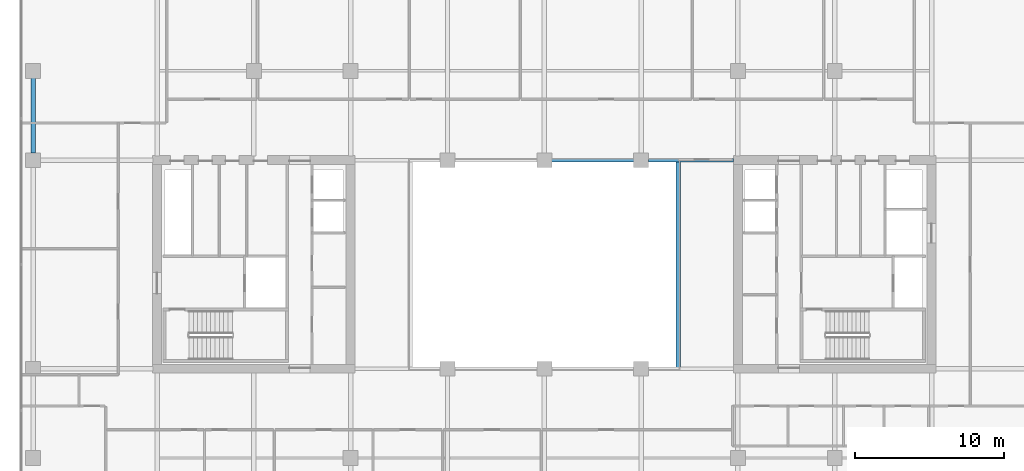
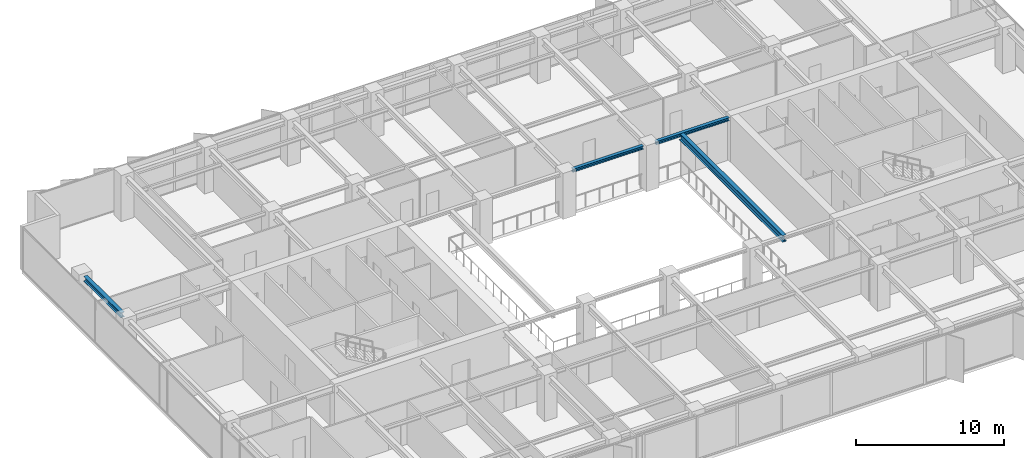
# One storey, part 7 of 22: 4 beams.
"""IFC4 building model written with IfcOpenShell, lengths in metres."""

from ifc_helpers import new_model, si_unit, direction, frame, origin, origin_2d, place, context, subcontext, project, spatial, i_section, extrude, material, material_profile, profile_set, type_object, element, save


model = new_model("IFC4")

# Units and contexts
model_context = context("Model", 3, precision=1e-05, world=origin(), true_north=direction((0.0, 1.0)))
body_context = subcontext(model_context, "Body", "Model", "MODEL_VIEW")
ifc_project = project(units=[si_unit("LENGTHUNIT", "METRE"), si_unit("AREAUNIT", "SQUARE_METRE"), si_unit("VOLUMEUNIT", "CUBIC_METRE"), si_unit("PLANEANGLEUNIT", "RADIAN"), si_unit("MASSUNIT", "GRAM", prefix="KILO")], contexts=[model_context])

# Site, building, storey
site_placement = place(None, origin())
site = spatial("IfcSite", under=ifc_project, at=site_placement, CompositionType="ELEMENT")
building_placement = place(site_placement, origin())
building = spatial("IfcBuilding", under=site, at=building_placement, Name="Putna Gate Headquarters", CompositionType="ELEMENT")
storey_placement = place(building_placement, frame((0.0, 0.0, 182.199951171875)))
storey = spatial("IfcBuildingStorey", under=building, at=storey_placement, Name="L45", CompositionType="ELEMENT", Elevation=182.199951171875)

# Beams
ifc_material = material(Name="Steel S355J2", Category="steel")
ifc_material_profile_1 = material_profile(ifc_material, i_section(OverallWidth=0.260009765625, OverallDepth=0.260009765625, WebThickness=0.010009765625, FlangeThickness=0.017578125, at=origin_2d()), Name="Steel S355J2")
ifc_profile_set_1 = profile_set([ifc_material_profile_1], Name="Steel S355J2")
beam_type_1 = type_object("IfcBeamType", Name="BM-ATRIUM-HEB260", PredefinedType="BEAM", material=ifc_profile_set_1)
beam_1_placement = place(storey_placement, frame((39.488037109375, 33.0, 3.442138671875), z_axis=(1.0, 0.0, 0.0), x_axis=(0.0, 1.0, 0.0)))
element("IfcBeam", 1, at=beam_1_placement, inside=storey, type_object=beam_type_1, Name="L45 Atrium Edge Beam AN3", PredefinedType="BEAM", context=body_context, shape_type="SweptSolid", body=[
    extrude(i_section(OverallWidth=0.260009765625, OverallDepth=0.260009765625, WebThickness=0.010009765625, FlangeThickness=0.017578125, at=origin_2d()), origin(), (0.0, 0.0, 1.0), 5.52392578125),
])
beam_2_placement = place(storey_placement, frame((45.988037109375, 33.0, 3.442138671875), z_axis=(1.0, 0.0, 0.0), x_axis=(0.0, 1.0, 0.0)))
element("IfcBeam", 2, at=beam_2_placement, inside=storey, type_object=beam_type_1, Name="L45 Atrium Edge Beam AN4", PredefinedType="BEAM", context=body_context, shape_type="SweptSolid", body=[
    extrude(i_section(OverallWidth=0.260009765625, OverallDepth=0.260009765625, WebThickness=0.010009765625, FlangeThickness=0.017578125, at=origin_2d()), origin(), (0.0, 0.0, 1.0), 5.72705078125),
])
ifc_material_profile_2 = material_profile(ifc_material, i_section(OverallWidth=0.300048828125, OverallDepth=0.550048828125, WebThickness=0.014892578125, FlangeThickness=0.029052734375, at=origin_2d()), Name="Steel S355J2")
ifc_profile_set_2 = profile_set([ifc_material_profile_2], Name="Steel S355J2")
beam_type_2 = type_object("IfcBeamType", Name="BM-GIRD-Z3-HEB550", PredefinedType="USERDEFINED", material=ifc_profile_set_2)
beam_3_placement = place(storey_placement, frame((48.0, 19.010009765625, 3.297119140625), z_axis=(0.0, 1.0, 0.0), x_axis=(-1.0, 0.0, 0.0)))
element("IfcBeam", 3, at=beam_3_placement, inside=storey, type_object=beam_type_2, Name="L45 Atrium Trim Girder AE", ObjectType="GIRDER", PredefinedType="USERDEFINED", context=body_context, shape_type="SweptSolid", body=[
    extrude(i_section(OverallWidth=0.300048828125, OverallDepth=0.550048828125, WebThickness=0.014892578125, FlangeThickness=0.029052734375, at=origin_2d()), origin(), (0.0, 0.0, 1.0), 13.97998046875),
])
ifc_material_profile_3 = material_profile(ifc_material, i_section(OverallWidth=0.300048828125, OverallDepth=0.39990234375, WebThickness=0.013427734375, FlangeThickness=0.02392578125, at=origin_2d()), Name="Steel S355J2")
ifc_profile_set_3 = profile_set([ifc_material_profile_3], Name="Steel S355J2")
beam_type_3 = type_object("IfcBeamType", Name="BM-SPAN-Z3-HEB400", PredefinedType="SPANDREL", material=ifc_profile_set_3)
beam_4_placement = place(storey_placement, frame((4.679931640625, 33.488037109375, 3.3720703125), z_axis=(0.0, 1.0, 0.0), x_axis=(-1.0, 0.0, 0.0)))
element("IfcBeam", 4, at=beam_4_placement, inside=storey, type_object=beam_type_3, Name="L45 W End Spandrel 3", PredefinedType="SPANDREL", context=body_context, shape_type="SweptSolid", body=[
    extrude(i_section(OverallWidth=0.300048828125, OverallDepth=0.39990234375, WebThickness=0.013427734375, FlangeThickness=0.02392578125, at=origin_2d()), origin(), (0.0, 0.0, 1.0), 5.02392578125),
])

save(model, "model.ifc")
